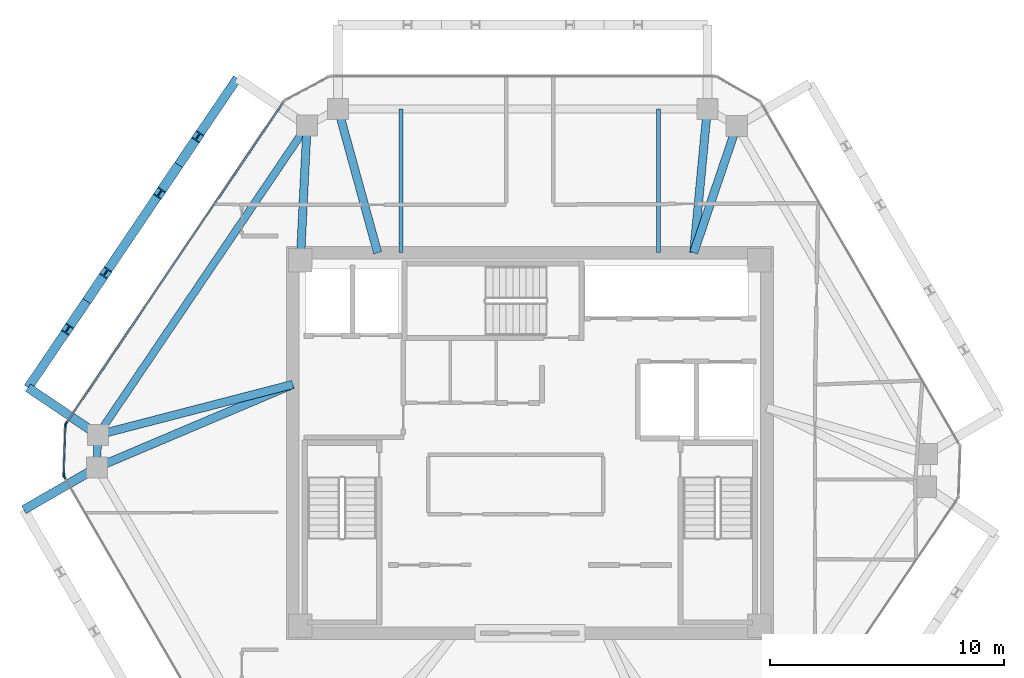
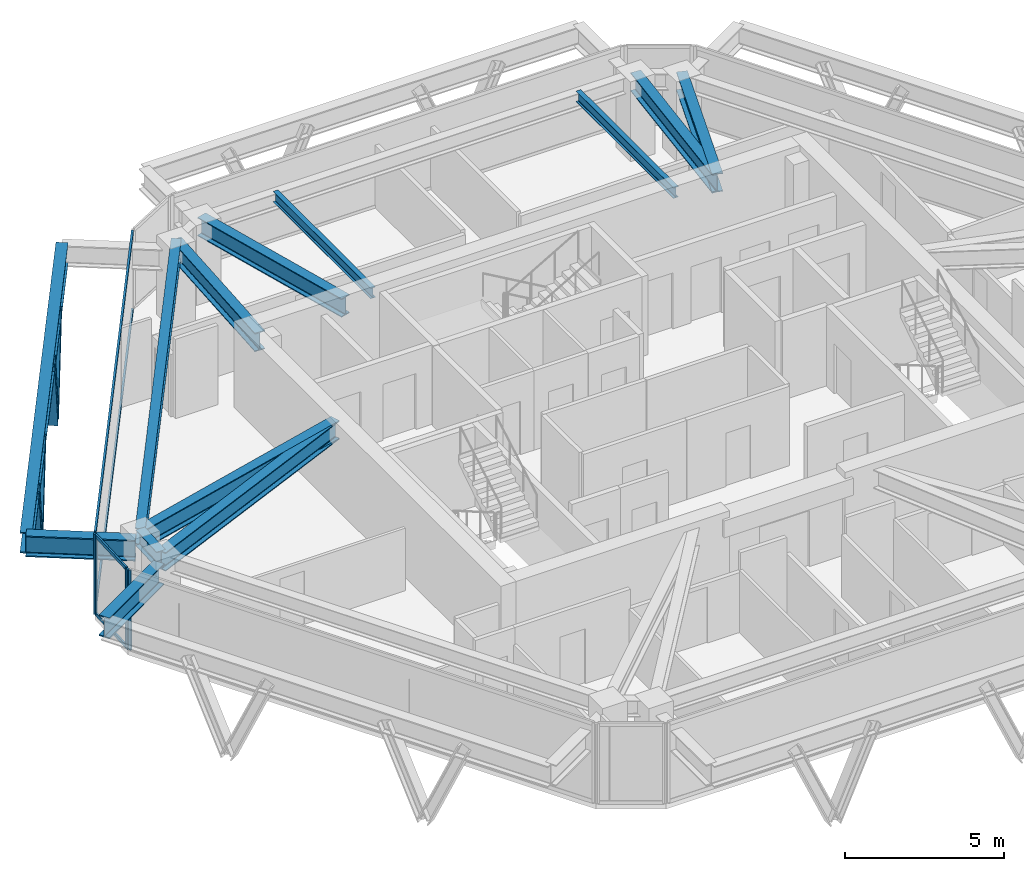
# One storey, part 4 of 11: 13 beams, 12 members, 3 elements without a shape of their own.
"""IFC4 building model written with IfcOpenShell, lengths in metres."""

from ifc_helpers import new_model, si_unit, direction, frame, origin, origin_2d, place, context, subcontext, project, spatial, rectangle, i_section, extrude, source, transform, mapped, material, layer, layer_set, material_profile, profile_set, type_object, type_shapes, element, aggregate, save


model = new_model("IFC4")

# Units and contexts
model_context = context("Model", 3, precision=1e-05, world=origin(), true_north=direction((0.0, 1.0)))
body_context = subcontext(model_context, "Body", "Model", "MODEL_VIEW")
ifc_project = project(units=[si_unit("LENGTHUNIT", "METRE"), si_unit("AREAUNIT", "SQUARE_METRE"), si_unit("VOLUMEUNIT", "CUBIC_METRE"), si_unit("PLANEANGLEUNIT", "RADIAN"), si_unit("MASSUNIT", "GRAM", prefix="KILO")], contexts=[model_context])

# Site, building, storey
site_placement = place(None, origin())
site = spatial("IfcSite", under=ifc_project, at=site_placement, CompositionType="ELEMENT")
building_placement = place(site_placement, origin())
building = spatial("IfcBuilding", under=site, at=building_placement, Name="Durnholm Broadcast Tower", CompositionType="ELEMENT")
storey_placement = place(building_placement, frame((0.0, 0.0, 244.699951171875)))
storey = spatial("IfcBuildingStorey", under=building, at=storey_placement, Name="L68", CompositionType="ELEMENT", Elevation=244.699951171875)

# Beams
ifc_material_1 = material(Name="Steel ASTM A992 Grade 50", Category="steel")
ifc_material_profile_1 = material_profile(ifc_material_1, i_section(OverallWidth=0.385009765625, OverallDepth=0.802978515625, WebThickness=0.023681640625, FlangeThickness=0.0419921875, FilletRadius=0.032958984375, at=origin_2d()), Name="W30X261")
ifc_profile_set_1 = profile_set([ifc_material_profile_1], Name="Steel ASTM A992 Grade 50")
beam_type_1 = type_object("IfcBeamType", Name="BM-EXO-TIE", PredefinedType="USERDEFINED", material=ifc_profile_set_1)
shared_shape_1 = source(origin(), body_context, "Body", "SweptSolid", [
    extrude(i_section(OverallWidth=0.385009765625, OverallDepth=0.802978515625, WebThickness=0.023681640625, FlangeThickness=0.0419921875, FilletRadius=0.032958984375, at=origin_2d()), origin(), (0.0, 0.0, 1.0), 3.4560546875),
])
for number, where, z_axis, x_axis, name in (
    (1, (-18.565673828125, 0.426513671875, 2.30859375), (-0.828413564093, 0.56011692246, 0.0), (-0.56011692246, -0.828413564093, 0.0), "L68 exoskeleton stand-off tie bracket F5.2"),
    (2, (-18.618896484375, -1.1201171875, 2.30859375), (-0.864876013532, -0.501985538852, 0.0), (0.501985538852, -0.864876013532, 0.0), "L68 exoskeleton stand-off tie bracket F6.1"),
):
    element("IfcBeam", number, at=place(storey_placement, frame(where, z_axis=z_axis, x_axis=x_axis)), inside=storey, type_object=beam_type_1, Name=name, ObjectType="GIRDER", PredefinedType="USERDEFINED", context=body_context, shape_type="MappedRepresentation", body=[
        mapped(shared_shape_1, transform((0.0, 0.0, 0.0), x_axis=(1.0, 0.0, 0.0), y_axis=(0.0, 1.0, 0.0), z_axis=(0.0, 0.0, 1.0), scale=1.0)),
    ])
ifc_material_profile_2 = material_profile(ifc_material_1, i_section(OverallWidth=0.3251953125, OverallDepth=0.6162109375, WebThickness=0.013916015625, FlangeThickness=0.021484375, FilletRadius=0.02783203125, at=origin_2d()), Name="W24X117")
ifc_profile_set_2 = profile_set([ifc_material_profile_2], Name="Steel ASTM A992 Grade 50")
beam_type_2 = type_object("IfcBeamType", Name="STL-SP-W24X117", PredefinedType="SPANDREL", material=ifc_profile_set_2)
shared_shape_2 = source(origin(), body_context, "Body", "SweptSolid", [
    extrude(i_section(OverallWidth=0.3251953125, OverallDepth=0.6162109375, WebThickness=0.013916015625, FlangeThickness=0.021484375, FilletRadius=0.02783203125, at=origin_2d()), origin(), (0.0, 0.0, 1.0), 1.39453125),
])
beam_1_placement = place(storey_placement, frame((-18.494384765625, -1.0478515625, 2.737060546875), z_axis=(0.034486393061, 0.999405167434, 0.0), x_axis=(-0.999405167434, 0.034486393061, 0.0)))
element("IfcBeam", 3, at=beam_1_placement, inside=storey, type_object=beam_type_2, Name="L68 perimeter spandrel girder 02", PredefinedType="SPANDREL", context=body_context, shape_type="MappedRepresentation", body=[
    mapped(shared_shape_2, transform((0.0, 0.0, 0.0), x_axis=(1.0, 0.0, 0.0), y_axis=(0.0, 1.0, 0.0), z_axis=(0.0, 0.0, 1.0), scale=1.0)),
])
shared_shape_3 = source(origin(), body_context, "Body", "SweptSolid", [
    extrude(i_section(OverallWidth=0.3251953125, OverallDepth=0.6162109375, WebThickness=0.013916015625, FlangeThickness=0.021484375, FilletRadius=0.02783203125, at=origin_2d()), origin(), (0.0, 0.0, 1.0), 15.947265625),
])
type_shapes(beam_type_2, [shared_shape_2, shared_shape_3])
beam_2_placement = place(storey_placement, frame((-18.4462890625, 0.345947265625, 2.737060546875), z_axis=(0.560062212489, 0.828450552623, 0.0), x_axis=(-0.828450552623, 0.560062212489, 0.0)))
element("IfcBeam", 4, at=beam_2_placement, inside=storey, type_object=beam_type_2, Name="L68 perimeter spandrel girder 03", PredefinedType="SPANDREL", context=body_context, shape_type="MappedRepresentation", body=[
    mapped(shared_shape_3, transform((0.0, 0.0, 0.0), x_axis=(1.0, 0.0, 0.0), y_axis=(0.0, 1.0, 0.0), z_axis=(0.0, 0.0, 1.0), scale=1.0)),
])
ifc_material_profile_3 = material_profile(ifc_material_1, i_section(OverallWidth=0.3564453125, OverallDepth=0.713623046875, WebThickness=0.01904296875, FlangeThickness=0.033935546875, FilletRadius=0.030517578125, at=origin_2d()), Name="W27X194")
ifc_profile_set_3 = profile_set([ifc_material_profile_3], Name="Steel ASTM A992 Grade 50")
beam_type_3 = type_object("IfcBeamType", Name="STL-GR-W27X194", PredefinedType="USERDEFINED", material=ifc_profile_set_3)
shared_shape_4 = source(origin(), body_context, "Body", "SweptSolid", [
    extrude(i_section(OverallWidth=0.3564453125, OverallDepth=0.713623046875, WebThickness=0.01904296875, FlangeThickness=0.033935546875, FilletRadius=0.030517578125, at=origin_2d()), origin(), (0.0, 0.0, 1.0), 5.764404296875),
])
beam_3_placement = place(storey_placement, frame((-9.800048828125, 7.800048828125, 2.688232421875), z_axis=(0.049468662109, 0.99877567625, 0.0), x_axis=(-0.99877567625, 0.049468662109, 0.0)))
element("IfcBeam", 5, at=beam_3_placement, inside=storey, type_object=beam_type_3, Name="L68 radial primary floor girder 04", ObjectType="GIRDER", PredefinedType="USERDEFINED", context=body_context, shape_type="MappedRepresentation", body=[
    mapped(shared_shape_4, transform((0.0, 0.0, 0.0), x_axis=(1.0, 0.0, 0.0), y_axis=(0.0, 1.0, 0.0), z_axis=(0.0, 0.0, 1.0), scale=1.0)),
])
shared_shape_5 = source(origin(), body_context, "Body", "SweptSolid", [
    extrude(i_section(OverallWidth=0.385009765625, OverallDepth=0.802978515625, WebThickness=0.023681640625, FlangeThickness=0.0419921875, FilletRadius=0.032958984375, at=origin_2d()), origin(), (0.0, 0.0, 1.0), 15.947021484375),
])
type_shapes(beam_type_1, [shared_shape_1, shared_shape_5])
beam_4_placement = place(storey_placement, frame((-12.497314453125, 15.573486328125, 2.30859375), z_axis=(-0.560069315853, -0.828445750451, 0.0), x_axis=(0.828445750451, -0.560069315853, 0.0)))
element("IfcBeam", 6, at=beam_4_placement, inside=storey, type_object=beam_type_1, Name="L68 exoskeleton collector spandrel F5", PredefinedType="SPANDREL", context=body_context, shape_type="MappedRepresentation", body=[
    mapped(shared_shape_5, transform((0.0, 0.0, 0.0), x_axis=(1.0, 0.0, 0.0), y_axis=(0.0, 1.0, 0.0), z_axis=(0.0, 0.0, 1.0), scale=1.0)),
])
shared_shape_6 = source(origin(), body_context, "Body", "SweptSolid", [
    extrude(i_section(OverallWidth=0.3564453125, OverallDepth=0.713623046875, WebThickness=0.01904296875, FlangeThickness=0.033935546875, FilletRadius=0.030517578125, at=origin_2d()), origin(), (0.0, 0.0, 1.0), 9.09033203125),
])
beam_5_placement = place(storey_placement, frame((-10.125, 2.5, 2.688232421875), z_axis=(-0.920692350722, -0.390289117607, 0.0), x_axis=(0.390289117607, -0.920692350722, 0.0)))
element("IfcBeam", 7, at=beam_5_placement, inside=storey, type_object=beam_type_3, Name="L68 radial primary floor girder 02", ObjectType="GIRDER", PredefinedType="USERDEFINED", context=body_context, shape_type="MappedRepresentation", body=[
    mapped(shared_shape_6, transform((0.0, 0.0, 0.0), x_axis=(1.0, 0.0, 0.0), y_axis=(0.0, 1.0, 0.0), z_axis=(0.0, 0.0, 1.0), scale=1.0)),
])
shared_shape_7 = source(origin(), body_context, "Body", "SweptSolid", [
    extrude(i_section(OverallWidth=0.3564453125, OverallDepth=0.713623046875, WebThickness=0.01904296875, FlangeThickness=0.033935546875, FilletRadius=0.030517578125, at=origin_2d()), origin(), (0.0, 0.0, 1.0), 8.595458984375),
])
beam_6_placement = place(storey_placement, frame((-10.125, 2.5, 2.688232421875), z_axis=(-0.968090619149, -0.250600385306, 0.0), x_axis=(0.250600385306, -0.968090619149, 0.0)))
element("IfcBeam", 8, at=beam_6_placement, inside=storey, type_object=beam_type_3, Name="L68 radial primary floor girder 03", ObjectType="GIRDER", PredefinedType="USERDEFINED", context=body_context, shape_type="MappedRepresentation", body=[
    mapped(shared_shape_7, transform((0.0, 0.0, 0.0), x_axis=(1.0, 0.0, 0.0), y_axis=(0.0, 1.0, 0.0), z_axis=(0.0, 0.0, 1.0), scale=1.0)),
])
shared_shape_8 = source(origin(), body_context, "Body", "SweptSolid", [
    extrude(i_section(OverallWidth=0.3564453125, OverallDepth=0.713623046875, WebThickness=0.01904296875, FlangeThickness=0.033935546875, FilletRadius=0.030517578125, at=origin_2d()), origin(), (0.0, 0.0, 1.0), 6.36474609375),
])
beam_7_placement = place(storey_placement, frame((-6.5, 8.125, 2.688232421875), z_axis=(-0.265168072834, 0.96420220553, 0.0), x_axis=(-0.96420220553, -0.265168072834, 0.0)))
element("IfcBeam", 9, at=beam_7_placement, inside=storey, type_object=beam_type_3, Name="L68 radial primary floor girder 05", ObjectType="GIRDER", PredefinedType="USERDEFINED", context=body_context, shape_type="MappedRepresentation", body=[
    mapped(shared_shape_8, transform((0.0, 0.0, 0.0), x_axis=(1.0, 0.0, 0.0), y_axis=(0.0, 1.0, 0.0), z_axis=(0.0, 0.0, 1.0), scale=1.0)),
])
shared_shape_9 = source(origin(), body_context, "Body", "SweptSolid", [
    extrude(i_section(OverallWidth=0.3564453125, OverallDepth=0.713623046875, WebThickness=0.01904296875, FlangeThickness=0.033935546875, FilletRadius=0.030517578125, at=origin_2d()), origin(), (0.0, 0.0, 1.0), 6.164306640625),
])
beam_8_placement = place(storey_placement, frame((7.0, 8.125, 2.688232421875), z_axis=(0.094024068139, 0.995569924521, 0.0), x_axis=(-0.995569924521, 0.094024068139, 0.0)))
element("IfcBeam", 10, at=beam_8_placement, inside=storey, type_object=beam_type_3, Name="L68 radial primary floor girder 06", ObjectType="GIRDER", PredefinedType="USERDEFINED", context=body_context, shape_type="MappedRepresentation", body=[
    mapped(shared_shape_9, transform((0.0, 0.0, 0.0), x_axis=(1.0, 0.0, 0.0), y_axis=(0.0, 1.0, 0.0), z_axis=(0.0, 0.0, 1.0), scale=1.0)),
])
shared_shape_10 = source(origin(), body_context, "Body", "SweptSolid", [
    extrude(i_section(OverallWidth=0.3564453125, OverallDepth=0.713623046875, WebThickness=0.01904296875, FlangeThickness=0.033935546875, FilletRadius=0.030517578125, at=origin_2d()), origin(), (0.0, 0.0, 1.0), 5.716064453125),
])
type_shapes(beam_type_3, [shared_shape_4, shared_shape_6, shared_shape_7, shared_shape_8, shared_shape_9, shared_shape_10])
beam_9_placement = place(storey_placement, frame((7.0, 8.125, 2.688232421875), z_axis=(0.321450919754, 0.946926241156, 0.0), x_axis=(-0.946926241156, 0.321450919754, 0.0)))
element("IfcBeam", 11, at=beam_9_placement, inside=storey, type_object=beam_type_3, Name="L68 radial primary floor girder 07", ObjectType="GIRDER", PredefinedType="USERDEFINED", context=body_context, shape_type="MappedRepresentation", body=[
    mapped(shared_shape_10, transform((0.0, 0.0, 0.0), x_axis=(1.0, 0.0, 0.0), y_axis=(0.0, 1.0, 0.0), z_axis=(0.0, 0.0, 1.0), scale=1.0)),
])
ifc_material_profile_4 = material_profile(ifc_material_1, i_section(OverallWidth=0.177734375, OverallDepth=0.40673828125, WebThickness=0.0078125, FlangeThickness=0.0126953125, FilletRadius=0.01904296875, at=origin_2d()), Name="W16X40")
ifc_profile_set_4 = profile_set([ifc_material_profile_4], Name="Steel ASTM A992 Grade 50")
beam_type_4 = type_object("IfcBeamType", Name="STL-BJ-W16X40", PredefinedType="JOIST", material=ifc_profile_set_4)
shared_shape_11 = source(origin(), body_context, "Body", "SweptSolid", [
    extrude(i_section(OverallWidth=0.177734375, OverallDepth=0.40673828125, WebThickness=0.0078125, FlangeThickness=0.0126953125, FilletRadius=0.01904296875, at=origin_2d()), origin(), (0.0, 0.0, 1.0), 6.136962890625),
])
type_shapes(beam_type_4, [shared_shape_11])
for number, where, z_axis, x_axis, name in (
    (12, (-5.5, 8.125, 2.841796875), (0.0, 1.0, 0.0), (-1.0, 0.0, 0.0), "L68 secondary floor joist 3.2"),
    (13, (5.5, 8.125, 2.841796875), (0.0, 1.0, 0.0), (-1.0, 0.0, 0.0), "L68 secondary floor joist 4.2"),
):
    element("IfcBeam", number, at=place(storey_placement, frame(where, z_axis=z_axis, x_axis=x_axis)), inside=storey, type_object=beam_type_4, Name=name, PredefinedType="JOIST", context=body_context, shape_type="MappedRepresentation", body=[
        mapped(shared_shape_11, transform((0.0, 0.0, 0.0), x_axis=(1.0, 0.0, 0.0), y_axis=(0.0, 1.0, 0.0), z_axis=(0.0, 0.0, 1.0), scale=1.0)),
    ])

# Members
ifc_material_2 = material(Name="Steel ASTM A913 Grade 65", Category="steel")
ifc_material_profile_5 = material_profile(ifc_material_2, i_section(OverallWidth=0.40625, OverallDepth=0.416015625, WebThickness=0.02978515625, FlangeThickness=0.048095703125, FilletRadius=0.030517578125, at=origin_2d()), Name="W14X257")
ifc_profile_set_5 = profile_set([ifc_material_profile_5], Name="Steel ASTM A913 Grade 65")
member_type_1 = type_object("IfcMemberType", Name="STL-DG-W14X257", PredefinedType="BRACE", material=ifc_profile_set_5)
shared_shape_12 = source(origin(), body_context, "Body", "SweptSolid", [
    extrude(i_section(OverallWidth=0.40625, OverallDepth=0.416015625, WebThickness=0.02978515625, FlangeThickness=0.048095703125, FilletRadius=0.030517578125, at=origin_2d()), origin(), (0.0, 0.0, 1.0), 3.60791015625),
])
type_shapes(member_type_1, [shared_shape_12])
for number, where, z_axis, x_axis, name in (
    (14, (-14.998046875, 11.874267578125, -0.991455078125), (0.226349134478, 0.334888450383, 0.914667040579), (-0.828505003222, 0.559981660089, 0.0), "L68 stand-off diagrid brace F5.D1.1"),
    (15, (-14.998046875, 11.874267578125, -0.991455078125), (-0.226354263477, -0.334828369412, 0.914687766641), (0.828452496411, -0.560059337206, 0.0), "L68 stand-off diagrid brace F5.D1.2"),
    (16, (-18.927978515625, 6.061279296875, -0.991455078125), (0.226354263477, 0.334828369412, 0.914687766641), (-0.828452496411, 0.560059337206, 0.0), "L68 stand-off diagrid brace F5.D2.1"),
    (17, (-18.927978515625, 6.061279296875, -0.991455078125), (-0.226354263477, -0.334828369412, 0.914687766641), (0.828452496411, -0.560059337206, 0.0), "L68 stand-off diagrid brace F5.D2.2"),
):
    element("IfcMember", number, at=place(storey_placement, frame(where, z_axis=z_axis, x_axis=x_axis)), inside=storey, type_object=member_type_1, Name=name, PredefinedType="BRACE", context=body_context, shape_type="MappedRepresentation", body=[
        mapped(shared_shape_12, transform((0.0, 0.0, 0.0), x_axis=(1.0, 0.0, 0.0), y_axis=(0.0, 1.0, 0.0), z_axis=(0.0, 0.0, 1.0), scale=1.0)),
    ])

# Curtain wall, members
ifc_material_3 = material(Name="Aluminium and Solar Control IGU", Category="aluminium")
ifc_layer_1 = layer(ifc_material_3, 0.1650390625)
ifc_layer_set_1 = layer_set([ifc_layer_1], Name="Aluminium and Solar Control IGU")
curtain_wall_type_1 = type_object("IfcCurtainWallType", Name="CW-SYS-5", PredefinedType="NOTDEFINED", material=ifc_layer_set_1)
curtain_wall_1_placement = place(storey_placement, origin())
curtain_wall_1 = element("IfcCurtainWall", 18, at=curtain_wall_1_placement, inside=storey, type_object=curtain_wall_type_1, Name="L68 curtain wall CW-CORNER CW-L68-CRN-01", PredefinedType="NOTDEFINED")
ifc_material_4 = material(Name="Aluminium 6063-T6", Category="aluminium")
ifc_material_profile_6 = material_profile(ifc_material_4, rectangle(XDim=0.06494140625, YDim=0.1298828125, at=origin_2d()), Name="CWT65X130")
ifc_profile_set_6 = profile_set([ifc_material_profile_6], Name="Aluminium 6063-T6")
member_type_2 = type_object("IfcMemberType", Name="CW-SYS-5-TRN", PredefinedType="USERDEFINED", material=ifc_profile_set_6)
shared_shape_13 = source(origin(), body_context, "Body", "SweptSolid", [
    extrude(rectangle(XDim=0.06494140625, YDim=0.1298828125, at=origin_2d()), origin(), (0.0, 0.0, 1.0), 2.070068359375),
])
type_shapes(member_type_2, [shared_shape_13])
member_1_placement = place(storey_placement, frame((-19.905029296875, -1.33740234375, 0.032470703125), z_axis=(0.034320104965, 0.999410891673, 0.0), x_axis=(-0.999410891673, 0.034320104965, 0.0)))
member_1 = element("IfcMember", 19, at=member_1_placement, type_object=member_type_2, Name="CW-CORNER transom 1.1", ObjectType="TRANSOM", PredefinedType="USERDEFINED", context=body_context, shape_type="MappedRepresentation", body=[
    mapped(shared_shape_13, transform((0.0, 0.0, 0.0), x_axis=(1.0, 0.0, 0.0), y_axis=(0.0, 1.0, 0.0), z_axis=(0.0, 0.0, 1.0), scale=1.0)),
])
member_2_placement = place(storey_placement, frame((-19.905029296875, -1.33740234375, 3.027587890625), z_axis=(0.034320104965, 0.999410891673, 0.0), x_axis=(-0.999410891673, 0.034320104965, 0.0)))
member_2 = element("IfcMember", 20, at=member_2_placement, type_object=member_type_2, Name="CW-CORNER transom 1.2", ObjectType="TRANSOM", PredefinedType="USERDEFINED", context=body_context, shape_type="MappedRepresentation", body=[
    mapped(shared_shape_13, transform((0.0, 0.0, 0.0), x_axis=(1.0, 0.0, 0.0), y_axis=(0.0, 1.0, 0.0), z_axis=(0.0, 0.0, 1.0), scale=1.0)),
])
ifc_material_profile_7 = material_profile(ifc_material_4, rectangle(XDim=0.06494140625, YDim=0.1650390625, at=origin_2d()), Name="CWM65X165")
ifc_profile_set_7 = profile_set([ifc_material_profile_7], Name="Aluminium 6063-T6")
member_type_3 = type_object("IfcMemberType", Name="CW-SYS-5-MUL", PredefinedType="MULLION", material=ifc_profile_set_7)
shared_shape_14 = source(origin(), body_context, "Body", "SweptSolid", [
    extrude(rectangle(XDim=0.06494140625, YDim=0.1650390625, at=origin_2d()), origin(), (0.0, 0.0, 1.0), 3.06005859375),
])
type_shapes(member_type_3, [shared_shape_14])
member_3_placement = place(storey_placement, frame((-19.90625, -1.369873046875, 0.0), z_axis=(0.0, 0.0, 1.0), x_axis=(-0.999410955514, 0.034318245849, 0.0)))
member_3 = element("IfcMember", 21, at=member_3_placement, type_object=member_type_3, Name="CW-CORNER mullion 1", PredefinedType="MULLION", context=body_context, shape_type="MappedRepresentation", body=[
    mapped(shared_shape_14, transform((0.0, 0.0, 0.0), x_axis=(1.0, 0.0, 0.0), y_axis=(0.0, 1.0, 0.0), z_axis=(0.0, 0.0, 1.0), scale=1.0)),
])
member_4_placement = place(storey_placement, frame((-19.8330078125, 0.763916015625, 0.0), z_axis=(0.0, 0.0, 1.0), x_axis=(-0.999410955514, 0.034318245849, 0.0)))
member_4 = element("IfcMember", 22, at=member_4_placement, type_object=member_type_3, Name="CW-CORNER mullion 2", PredefinedType="MULLION", context=body_context, shape_type="MappedRepresentation", body=[
    mapped(shared_shape_14, transform((0.0, 0.0, 0.0), x_axis=(1.0, 0.0, 0.0), y_axis=(0.0, 1.0, 0.0), z_axis=(0.0, 0.0, 1.0), scale=1.0)),
])
aggregate(curtain_wall_1, [member_3, member_4, member_1, member_2])

# Curtain wall, member
ifc_layer_2 = layer(ifc_material_3, 0.18994140625)
ifc_layer_set_2 = layer_set([ifc_layer_2], Name="Aluminium and Solar Control IGU")
curtain_wall_type_2 = type_object("IfcCurtainWallType", Name="CW-SYS-4", PredefinedType="NOTDEFINED", material=ifc_layer_set_2)
curtain_wall_2_placement = place(storey_placement, origin())
curtain_wall_2 = element("IfcCurtainWall", 23, at=curtain_wall_2_placement, inside=storey, type_object=curtain_wall_type_2, Name="L68 curtain wall CW-Z34-VIS CW-L68-F02", PredefinedType="NOTDEFINED")
ifc_material_profile_8 = material_profile(ifc_material_4, rectangle(XDim=0.070068359375, YDim=0.18994140625, at=origin_2d()), Name="CWM70X190")
ifc_profile_set_8 = profile_set([ifc_material_profile_8], Name="Aluminium 6063-T6")
member_type_4 = type_object("IfcMemberType", Name="CW-SYS-4-MUL", PredefinedType="MULLION", material=ifc_profile_set_8)
shared_shape_15 = source(origin(), body_context, "Body", "SweptSolid", [
    extrude(rectangle(XDim=0.070068359375, YDim=0.18994140625, at=origin_2d()), origin(), (0.0, 0.0, 1.0), 3.06005859375),
])
type_shapes(member_type_4, [shared_shape_15])
member_5_placement = place(storey_placement, frame((-19.812255859375, 0.825439453125, 0.0), z_axis=(0.0, 0.0, 1.0), x_axis=(-0.828443431662, 0.560072745753, 0.0)))
member_5 = element("IfcMember", 24, at=member_5_placement, type_object=member_type_4, Name="CW-Z34-VIS mullion 1", PredefinedType="MULLION", context=body_context, shape_type="MappedRepresentation", body=[
    mapped(shared_shape_15, transform((0.0, 0.0, 0.0), x_axis=(1.0, 0.0, 0.0), y_axis=(0.0, 1.0, 0.0), z_axis=(0.0, 0.0, 1.0), scale=1.0)),
])

curtain_wall_3_placement = place(storey_placement, origin())
curtain_wall_3 = element("IfcCurtainWall", 25, at=curtain_wall_3_placement, inside=storey, type_object=curtain_wall_type_2, Name="L68 curtain wall CW-Z34-VIS CW-L68-F12", PredefinedType="NOTDEFINED")
member_6_placement = place(storey_placement, frame((-19.8896484375, -1.4326171875, 0.0), z_axis=(0.0, 0.0, 1.0), x_axis=(-0.864899883824, -0.50194441023, 0.0)))
member_6 = element("IfcMember", 26, at=member_6_placement, type_object=member_type_4, Name="CW-Z34-VIS mullion 2", PredefinedType="MULLION", context=body_context, shape_type="MappedRepresentation", body=[
    mapped(shared_shape_15, transform((0.0, 0.0, 0.0), x_axis=(1.0, 0.0, 0.0), y_axis=(0.0, 1.0, 0.0), z_axis=(0.0, 0.0, 1.0), scale=1.0)),
])
aggregate(curtain_wall_3, [member_6])

# Member
ifc_material_profile_9 = material_profile(ifc_material_4, rectangle(XDim=0.070068359375, YDim=0.14990234375, at=origin_2d()), Name="CWT70X150")
ifc_profile_set_9 = profile_set([ifc_material_profile_9], Name="Aluminium 6063-T6")
member_type_5 = type_object("IfcMemberType", Name="CW-SYS-4-TRN", PredefinedType="USERDEFINED", material=ifc_profile_set_9)
shared_shape_16 = source(origin(), body_context, "Body", "SweptSolid", [
    extrude(rectangle(XDim=0.070068359375, YDim=0.14990234375, at=origin_2d()), origin(), (0.0, 0.0, 1.0), 16.55859375),
])
type_shapes(member_type_5, [shared_shape_16])
member_7_placement = place(storey_placement, frame((-19.79248046875, 0.8544921875, 0.03515625), z_axis=(0.560071338091, 0.828444383317, 0.0), x_axis=(-0.828444383317, 0.560071338091, 0.0)))
member_7 = element("IfcMember", 27, at=member_7_placement, type_object=member_type_5, Name="CW-Z34-VIS transom 1.1", ObjectType="TRANSOM", PredefinedType="USERDEFINED", context=body_context, shape_type="MappedRepresentation", body=[
    mapped(shared_shape_16, transform((0.0, 0.0, 0.0), x_axis=(1.0, 0.0, 0.0), y_axis=(0.0, 1.0, 0.0), z_axis=(0.0, 0.0, 1.0), scale=1.0)),
])

member_8_placement = place(storey_placement, frame((-19.79248046875, 0.8544921875, 3.025146484375), z_axis=(0.560071338091, 0.828444383317, 0.0), x_axis=(-0.828444383317, 0.560071338091, 0.0)))
member_8 = element("IfcMember", 28, at=member_8_placement, type_object=member_type_5, Name="CW-Z34-VIS transom 1.2", ObjectType="TRANSOM", PredefinedType="USERDEFINED", context=body_context, shape_type="MappedRepresentation", body=[
    mapped(shared_shape_16, transform((0.0, 0.0, 0.0), x_axis=(1.0, 0.0, 0.0), y_axis=(0.0, 1.0, 0.0), z_axis=(0.0, 0.0, 1.0), scale=1.0)),
])

aggregate(curtain_wall_2, [member_5, member_7, member_8])

save(model, "model.ifc")
